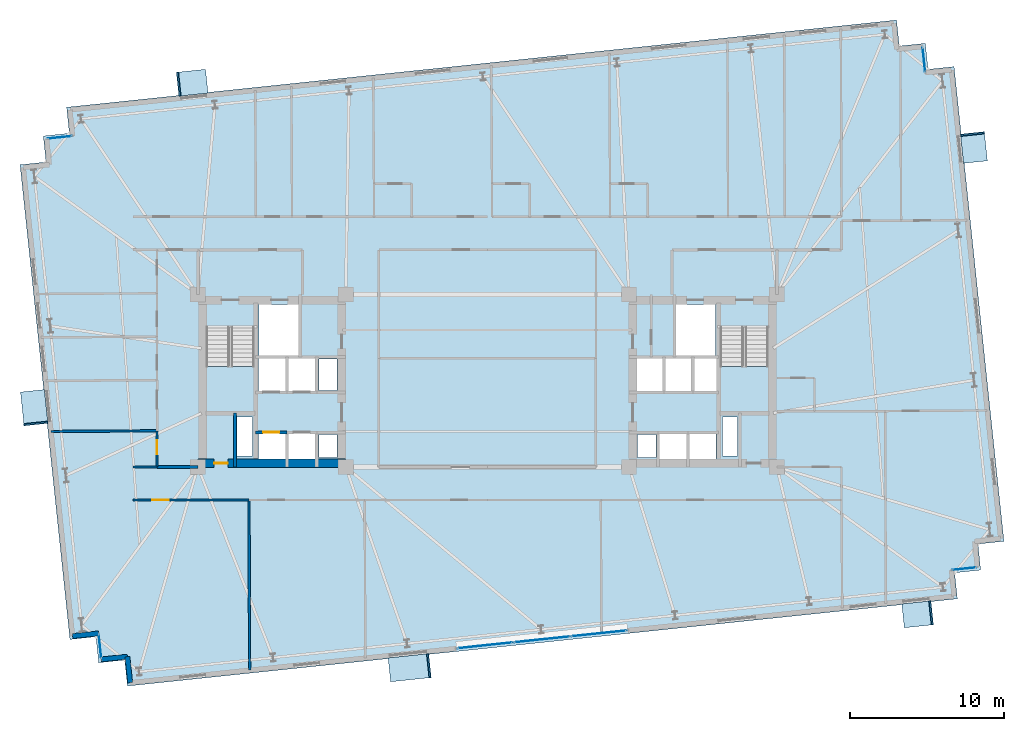
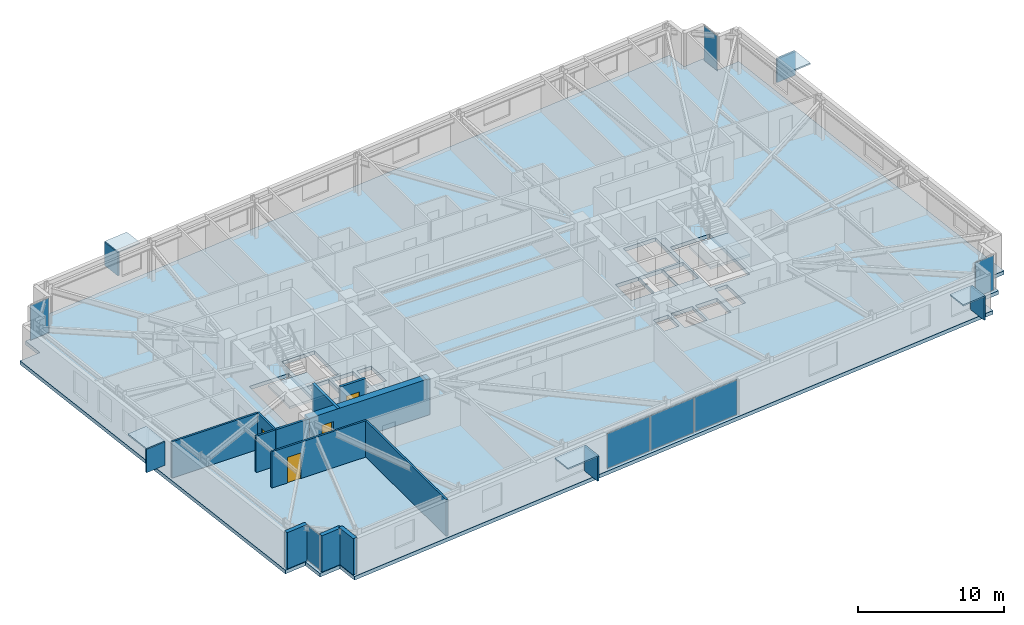
# One storey, part 15 of 22: 17 plates, 12 walls, 4 doors, 3 slabs, 4 openings, 7 elements without a shape of their own.
"""IFC4 building model written with IfcOpenShell, lengths in metres."""

import ifcopenshell
import ifcopenshell.guid

model = None  # the IFC model being written
_history = None  # IfcOwnerHistory: only IFC2X3 demands one
_inside = {}  # id of a spatial element -> (the spatial element, [elements in it])
_under = {}  # id of a project, library or spatial element -> (it, [spatial elements below it])
_declared = {}  # id of a project -> (the project, [libraries it declares])
_typed = {}  # id of a type object -> (the type object, [elements of that type])
_made_of = {}  # id of a material, layer set ... -> (it, [elements and type objects made of it])


def new_model(schema):
    """Start an empty IFC model of exactly this schema.

    Asked for "IFC4X3", IfcOpenShell would pick the latest addendum, in which some entities
    have other attributes; the version numbers below select the first issue.
    IFC2X3 requires an IfcOwnerHistory on every rooted entity: one is made here for all.
    """
    global model, _history
    if schema == "IFC4X3":
        model = ifcopenshell.file(schema_version=(4, 3, 0, 0))
    else:
        model = ifcopenshell.file(schema=schema)
    _inside.clear()
    _under.clear()
    _declared.clear()
    _typed.clear()
    _made_of.clear()
    _history = None
    if model.schema == "IFC2X3":
        org = make("IfcOrganization", Name="unknown")
        user = make(
            "IfcPersonAndOrganization",
            ThePerson=make("IfcPerson", FamilyName="unknown"),
            TheOrganization=org,
        )
        app = make(
            "IfcApplication",
            ApplicationDeveloper=org,
            Version="unknown",
            ApplicationFullName="unknown",
            ApplicationIdentifier="unknown",
        )
        _history = make(
            "IfcOwnerHistory",
            OwningUser=user,
            OwningApplication=app,
            ChangeAction="ADDED",
            CreationDate=0,
        )
    return model


def make(cls, **values):
    """One entity of the class cls with the attributes given. An attribute that is None is left unset."""
    return model.create_entity(
        cls, **{name: value for name, value in values.items() if value is not None}
    )


def rooted(cls, **values):
    """An entity with a GlobalId (a new one), such as an element, a storey or a relation."""
    return make(cls, GlobalId=ifcopenshell.guid.new(), OwnerHistory=_history, **values)


def si_unit(unit_type, name, prefix=None):
    """IfcSIUnit, for example si_unit("LENGTHUNIT", "METRE", prefix="MILLI")."""
    return make("IfcSIUnit", UnitType=unit_type, Prefix=prefix, Name=name)


def assignment(units):
    """IfcUnitAssignment: the units of a project."""
    return None if units is None else make("IfcUnitAssignment", Units=units)


def point(xyz):
    """IfcCartesianPoint."""
    return None if xyz is None else make("IfcCartesianPoint", Coordinates=xyz)


def direction(xyz):
    """IfcDirection."""
    return None if xyz is None else make("IfcDirection", DirectionRatios=xyz)


def frame(location, z_axis=None, x_axis=None):
    """IfcAxis2Placement3D, a coordinate frame: its origin and axes. An axis left out is left unset."""
    return make(
        "IfcAxis2Placement3D",
        Location=point(location),
        Axis=direction(z_axis),
        RefDirection=direction(x_axis),
    )


def frame_2d(location, x_axis=None):
    """IfcAxis2Placement2D, a coordinate frame in the plane: its origin and x axis."""
    return make(
        "IfcAxis2Placement2D", Location=point(location), RefDirection=direction(x_axis)
    )


def origin():
    """The frame at (0, 0, 0) with its axes left unset."""
    return frame((0.0, 0.0, 0.0))


def origin_2d():
    """The frame at (0, 0) in the plane with its x axis left unset."""
    return frame_2d((0.0, 0.0))


def place(relative_to, where):
    """IfcLocalPlacement: puts the frame where relative to a parent placement (None: the world)."""
    return make(
        "IfcLocalPlacement", PlacementRelTo=relative_to, RelativePlacement=where
    )


def context(
    kind, dimensions, precision=None, world=None, true_north=None, identifier=None
):
    """IfcGeometricRepresentationContext, for example the 3D "Model" context."""
    return make(
        "IfcGeometricRepresentationContext",
        ContextIdentifier=identifier,
        ContextType=kind,
        CoordinateSpaceDimension=dimensions,
        Precision=precision,
        WorldCoordinateSystem=world,
        TrueNorth=true_north,
    )


def subcontext(parent, identifier, kind, view, scale=None):
    """IfcGeometricRepresentationSubContext, for example "Body" below "Model"."""
    return make(
        "IfcGeometricRepresentationSubContext",
        ContextIdentifier=identifier,
        ContextType=kind,
        ParentContext=parent,
        TargetScale=scale,
        TargetView=view,
    )


def project(units=None, contexts=None):
    """IfcProject with its units and contexts."""
    return rooted(
        "IfcProject",
        Name="project",
        RepresentationContexts=contexts,
        UnitsInContext=assignment(units),
    )


def spatial(cls, under=None, at=None, **own):
    """A site, building, storey or space (cls), placed at a placement, below another one or the project."""
    s = rooted(cls, ObjectPlacement=at, **own)
    if under is not None:
        _under.setdefault(under.id(), (under, []))[1].append(s)
    return s


def polyline(points):
    """IfcPolyline through the points."""
    return make("IfcPolyline", Points=[point(p) for p in points])


def profile(cls, at=None, kind="AREA", **sizes):
    """A parametric profile (cls). Its sizes go by their IFC names, for example OverallWidth=200.0."""
    return make(cls, ProfileType=kind, Position=at, **sizes)


def rectangle(**sizes):
    """IfcRectangleProfileDef."""
    return profile("IfcRectangleProfileDef", **sizes)


def outline(outer, holes=None, kind="AREA"):
    """IfcArbitraryClosedProfileDef: a profile drawn as a closed curve; with holes, ...WithVoids."""
    if holes is None:
        return make("IfcArbitraryClosedProfileDef", ProfileType=kind, OuterCurve=outer)
    return make(
        "IfcArbitraryProfileDefWithVoids",
        ProfileType=kind,
        OuterCurve=outer,
        InnerCurves=holes,
    )


def extrude(swept, where, along, depth):
    """IfcExtrudedAreaSolid: the profile swept, set in the frame where, extruded along a direction by depth."""
    return make(
        "IfcExtrudedAreaSolid",
        SweptArea=swept,
        Position=where,
        ExtrudedDirection=direction(along),
        Depth=depth,
    )


def shape(context_of_items, identifier, shape_type, items):
    """IfcShapeRepresentation: the items that make up one representation, for example the "Body"."""
    return make(
        "IfcShapeRepresentation",
        ContextOfItems=context_of_items,
        RepresentationIdentifier=identifier,
        RepresentationType=shape_type,
        Items=items,
    )


def material(Name=None, Category=None):
    """IfcMaterial."""
    return make("IfcMaterial", Name=Name, Category=Category)


def layer(
    of_material, thickness, ventilated=None, Name=None, Category=None, Priority=None
):
    """IfcMaterialLayer: one layer of a wall or slab, of a material (None: an air gap)."""
    return make(
        "IfcMaterialLayer",
        Material=of_material,
        LayerThickness=thickness,
        IsVentilated=ventilated,
        Name=Name,
        Category=Category,
        Priority=Priority,
    )


def layer_set(layers, Name=None):
    """IfcMaterialLayerSet."""
    return make("IfcMaterialLayerSet", MaterialLayers=layers, LayerSetName=Name)


def made_of(thing, what):
    """Note that an element or type object is made of a material, layer set ...; save() writes the relation."""
    if what is not None:
        _made_of.setdefault(what.id(), (what, []))[1].append(thing)
    return thing


def type_object(cls, material=None, **own):
    """A type object (cls), such as IfcWallType, which elements share."""
    return made_of(rooted(cls, **own), material)


def element(
    cls,
    number,
    at=None,
    inside=None,
    cuts=None,
    type_object=None,
    material=None,
    context=None,
    identifier="Body",
    shape_type=None,
    held_by="IfcProductDefinitionShape",
    body=None,
    shapes=None,
    **own,
):
    """One element of the class cls, such as IfcWall. Its Tag is "e" and its number.

    at: its placement. inside: the storey or other place that contains it. cuts: it is an
    opening in that element (IfcRelVoidsElement). A single representation is given by context,
    identifier, shape_type and body (its items); several are given by shapes. held_by: the class
    of the entity that holds the representations. save() writes the other relations.
    """
    e = rooted(cls, Tag="e%d" % number, ObjectPlacement=at, **own)
    if body is not None:
        shapes = [shape(context, identifier, shape_type, body)]
    if shapes is not None:
        e.Representation = make(held_by, Representations=shapes)
    if inside is not None:
        _inside.setdefault(inside.id(), (inside, []))[1].append(e)
    if cuts is not None:
        rooted(
            "IfcRelVoidsElement", RelatingBuildingElement=cuts, RelatedOpeningElement=e
        )
    if type_object is not None:
        _typed.setdefault(type_object.id(), (type_object, []))[1].append(e)
    return made_of(e, material)


def fill(opening, filler):
    """IfcRelFillsElement: the door or window that sits in an opening."""
    return rooted(
        "IfcRelFillsElement",
        RelatingOpeningElement=opening,
        RelatedBuildingElement=filler,
    )


def aggregate(whole, parts):
    """IfcRelAggregates: a whole, such as a stair, and the parts it consists of."""
    return rooted("IfcRelAggregates", RelatingObject=whole, RelatedObjects=parts)


def save(model, path):
    """Write the relations noted so far, then the file.

    IfcRelAggregates (storeys below a building ...), IfcRelContainedInSpatialStructure (elements
    in a storey), IfcRelDefinesByType, IfcRelAssociatesMaterial and IfcRelDeclares: one each for
    every whole, place, type object, material and project.
    """
    for whole, parts in _under.values():
        aggregate(whole, parts)
    for where, things in _inside.values():
        rooted(
            "IfcRelContainedInSpatialStructure",
            RelatedElements=things,
            RelatingStructure=where,
        )
    for kind, things in _typed.values():
        rooted("IfcRelDefinesByType", RelatedObjects=things, RelatingType=kind)
    for what, things in _made_of.values():
        rooted("IfcRelAssociatesMaterial", RelatedObjects=things, RelatingMaterial=what)
    for by, libraries in _declared.values():
        rooted("IfcRelDeclares", RelatingContext=by, RelatedDefinitions=libraries)
    model.write(path)


model = new_model("IFC4")

# Units and contexts
model_context = context("Model", 3, precision=1e-05, world=origin(), true_north=direction((0.0, 1.0)))
body_context = subcontext(model_context, "Body", "Model", "MODEL_VIEW")
ifc_project = project(units=[si_unit("LENGTHUNIT", "METRE"), si_unit("AREAUNIT", "SQUARE_METRE"), si_unit("VOLUMEUNIT", "CUBIC_METRE"), si_unit("PLANEANGLEUNIT", "RADIAN"), si_unit("MASSUNIT", "GRAM", prefix="KILO")], contexts=[model_context])

# Site, building, storey
site_placement = place(None, origin())
site = spatial("IfcSite", under=ifc_project, at=site_placement, CompositionType="ELEMENT")
building_placement = place(site_placement, origin())
building = spatial("IfcBuilding", under=site, at=building_placement, Name="Qobustan Lattice House", CompositionType="ELEMENT")
storey_placement = place(building_placement, frame((0.0, 0.0, 99.10009765625)))
storey = spatial("IfcBuildingStorey", under=building, at=storey_placement, Name="L27", CompositionType="ELEMENT", Elevation=99.10009765625)

# Curtain wall, plate
ifc_material_1 = material(Name="Anodised aluminium and low-E glazing", Category="aluminium")
ifc_layer_1 = layer(ifc_material_1, 0.219970703125)
ifc_layer_set_1 = layer_set([ifc_layer_1], Name="Anodised aluminium and low-E glazing")
curtain_wall_type_1 = type_object("IfcCurtainWallType", Name="CW-FAC-01", PredefinedType="USERDEFINED", material=ifc_layer_set_1)
curtain_wall_1_placement = place(storey_placement, origin())
curtain_wall_1 = element("IfcCurtainWall", 1, at=curtain_wall_1_placement, inside=storey, type_object=curtain_wall_type_1, Name="L27 serrated corner faceted glazing 3", ObjectType="CURTAIN WALL", PredefinedType="USERDEFINED")
ifc_material_2 = material(Name="Clear low-E laminated glass", Category="glass")
ifc_layer_2 = layer(ifc_material_2, 0.031982421875)
ifc_layer_set_2 = layer_set([ifc_layer_2], Name="Clear low-E laminated glass")
plate_type_1 = type_object("IfcPlateType", Name="CWP-VISION-32", PredefinedType="CURTAIN_PANEL", material=ifc_layer_set_2)
plate_1_placement = place(storey_placement, frame((-25.155029296875, -17.2509765625, 0.06494140625), z_axis=(0.0, 0.0, 1.0), x_axis=(-0.104528620025, 0.994521878892, 0.0)))
plate_1 = element("IfcPlate", 2, at=plate_1_placement, type_object=plate_type_1, Name="CW-F1 panel 1.1", PredefinedType="CURTAIN_PANEL", context=body_context, shape_type="SweptSolid", body=[
    extrude(rectangle(XDim=1.56005859375, YDim=0.031982421875, at=origin_2d()), origin(), (0.0, 0.0, 1.0), 2.9150390625),
])
aggregate(curtain_wall_1, [plate_1])

curtain_wall_2_placement = place(storey_placement, origin())
curtain_wall_2 = element("IfcCurtainWall", 3, at=curtain_wall_2_placement, inside=storey, type_object=curtain_wall_type_1, Name="L27 serrated corner faceted glazing 8", ObjectType="CURTAIN WALL", PredefinedType="USERDEFINED")
plate_2_placement = place(storey_placement, frame((-27.77490234375, 15.80615234375, 0.06494140625), z_axis=(0.0, 0.0, 1.0), x_axis=(0.994521878892, 0.104528620025, 0.0)))
plate_2 = element("IfcPlate", 4, at=plate_2_placement, type_object=plate_type_1, Name="CW-F1 panel 1.1", PredefinedType="CURTAIN_PANEL", context=body_context, shape_type="SweptSolid", body=[
    extrude(rectangle(XDim=1.56005859375, YDim=0.031982421875, at=origin_2d()), origin(), (0.0, 0.0, 1.0), 2.9150390625),
])
aggregate(curtain_wall_2, [plate_2])

curtain_wall_3_placement = place(storey_placement, origin())
curtain_wall_3 = element("IfcCurtainWall", 5, at=curtain_wall_3_placement, inside=storey, type_object=curtain_wall_type_1, Name="L27 serrated corner faceted glazing 13", ObjectType="CURTAIN WALL", PredefinedType="USERDEFINED")
plate_3_placement = place(storey_placement, frame((28.355224609375, 20.85107421875, 0.06494140625), z_axis=(0.0, 0.0, 1.0), x_axis=(0.104528620025, -0.994521878892, 0.0)))
plate_3 = element("IfcPlate", 6, at=plate_3_placement, type_object=plate_type_1, Name="CW-F1 panel 1.1", PredefinedType="CURTAIN_PANEL", context=body_context, shape_type="SweptSolid", body=[
    extrude(rectangle(XDim=1.56005859375, YDim=0.031982421875, at=origin_2d()), origin(), (0.0, 0.0, 1.0), 2.9150390625),
])
aggregate(curtain_wall_3, [plate_3])

curtain_wall_4_placement = place(storey_placement, origin())
curtain_wall_4 = element("IfcCurtainWall", 7, at=curtain_wall_4_placement, inside=storey, type_object=curtain_wall_type_1, Name="L27 serrated corner faceted glazing 18", ObjectType="CURTAIN WALL", PredefinedType="USERDEFINED")
plate_4_placement = place(storey_placement, frame((30.974853515625, -12.206298828125, 0.06494140625), z_axis=(0.0, 0.0, 1.0), x_axis=(-0.994521878892, -0.104528620025, 0.0)))
plate_4 = element("IfcPlate", 8, at=plate_4_placement, type_object=plate_type_1, Name="CW-F1 panel 1.1", PredefinedType="CURTAIN_PANEL", context=body_context, shape_type="SweptSolid", body=[
    extrude(rectangle(XDim=1.56005859375, YDim=0.031982421875, at=origin_2d()), origin(), (0.0, 0.0, 1.0), 2.9150390625),
])
aggregate(curtain_wall_4, [plate_4])

# Curtain wall, plates
ifc_material_3 = material(Name="Anodised aluminium and low-E glazing", Category="aluminium")
ifc_layer_3 = layer(ifc_material_3, 0.219970703125)
ifc_layer_set_3 = layer_set([ifc_layer_3], Name="Anodised aluminium and low-E glazing")
curtain_wall_type_2 = type_object("IfcCurtainWallType", Name="CW-IWN-01", PredefinedType="USERDEFINED", material=ifc_layer_set_3)
curtain_wall_5_placement = place(storey_placement, origin())
curtain_wall_5 = element("IfcCurtainWall", 9, at=curtain_wall_5_placement, inside=storey, type_object=curtain_wall_type_2, Name="L27 IWAN-2 walnut-lined iwan curtain wall", ObjectType="CURTAIN WALL", PredefinedType="USERDEFINED")
plate_5_placement = place(storey_placement, frame((7.24755859375, -16.409423828125, 0.06494140625), z_axis=(0.0, 0.0, 1.0), x_axis=(-0.994522123189, -0.104526295675, 0.0)))
plate_5 = element("IfcPlate", 10, at=plate_5_placement, type_object=plate_type_1, Name="CW-IW panel 1.1", PredefinedType="CURTAIN_PANEL", context=body_context, shape_type="SweptSolid", body=[
    extrude(rectangle(XDim=3.61328125, YDim=0.031982421875, at=origin_2d()), origin(), (0.0, 0.0, 1.0), 2.9150390625),
])
plate_6_placement = place(storey_placement, frame((3.5546875, -16.797607421875, 0.06494140625), z_axis=(0.0, 0.0, 1.0), x_axis=(-0.994522123189, -0.104526295675, 0.0)))
plate_6 = element("IfcPlate", 11, at=plate_6_placement, type_object=plate_type_1, Name="CW-IW panel 2.1", PredefinedType="CURTAIN_PANEL", context=body_context, shape_type="SweptSolid", body=[
    extrude(rectangle(XDim=3.6533203125, YDim=0.031982421875, at=origin_2d()), origin(), (0.0, 0.0, 1.0), 2.9150390625),
])
plate_7_placement = place(storey_placement, frame((-0.138427734375, -17.185791015625, 0.06494140625), z_axis=(0.0, 0.0, 1.0), x_axis=(-0.994522123189, -0.104526295675, 0.0)))
plate_7 = element("IfcPlate", 12, at=plate_7_placement, type_object=plate_type_1, Name="CW-IW panel 3.1", PredefinedType="CURTAIN_PANEL", context=body_context, shape_type="SweptSolid", body=[
    extrude(rectangle(XDim=3.61328125, YDim=0.031982421875, at=origin_2d()), origin(), (0.0, 0.0, 1.0), 2.9150390625),
])
aggregate(curtain_wall_5, [plate_5, plate_6, plate_7])

# Plates
ifc_material_4 = material(Name="Qobustan limestone GFRC", Category="masonry")
ifc_layer_4 = layer(ifc_material_4, 0.1201171875)
ifc_layer_set_4 = layer_set([ifc_layer_4], Name="Qobustan limestone GFRC")
plate_type_2 = type_object("IfcPlateType", Name="SHD-HOOD-BROW", PredefinedType="USERDEFINED", material=ifc_layer_set_4)
plate_8_placement = place(storey_placement, frame((-29.4296875, -1.743408203125, 2.699951171875), z_axis=(0.0, 0.0, 1.0), x_axis=(-0.104528463268, 0.994521895368, 0.0)))
element("IfcPlate", 13, at=plate_8_placement, inside=storey, type_object=plate_type_2, Name="L27 splayed Qobustan stone hood brow", ObjectType="SUNSHADE", PredefinedType="USERDEFINED", context=body_context, shape_type="SweptSolid", body=[
    extrude(rectangle(XDim=2.18994140625, YDim=1.56005859375, at=origin_2d()), origin(), (0.0, 0.0, 1.0), 0.1201171875),
])
plate_9_placement = place(storey_placement, frame((-29.3212890625, -2.772705078125, 0.7900390625), z_axis=(0.0, 0.0, 1.0), x_axis=(-0.104528463268, 0.994521895368, 0.0)))
element("IfcPlate", 14, at=plate_9_placement, inside=storey, type_object=plate_type_2, Name="L27 splayed Qobustan stone hood cheek", ObjectType="SUNSHADE", PredefinedType="USERDEFINED", context=body_context, shape_type="SweptSolid", body=[
    extrude(rectangle(XDim=0.1201171875, YDim=1.56005859375, at=origin_2d()), origin(), (0.0, 0.0, 1.0), 1.969970703125),
])
plate_10_placement = place(storey_placement, frame((-19.162841796875, 19.355712890625, 2.699951171875), z_axis=(0.0, 0.0, 1.0), x_axis=(0.994521895368, 0.104528463268, 0.0)))
element("IfcPlate", 15, at=plate_10_placement, inside=storey, type_object=plate_type_2, Name="L27 splayed Qobustan stone hood brow", ObjectType="SUNSHADE", PredefinedType="USERDEFINED", context=body_context, shape_type="SweptSolid", body=[
    extrude(rectangle(XDim=1.889892578125, YDim=1.56005859375, at=origin_2d()), origin(), (0.0, 0.0, 1.0), 0.1201171875),
])
plate_11_placement = place(storey_placement, frame((-20.04296875, 19.26318359375, 0.7900390625), z_axis=(0.0, 0.0, 1.0), x_axis=(0.994521895368, 0.104528463268, 0.0)))
element("IfcPlate", 16, at=plate_11_placement, inside=storey, type_object=plate_type_2, Name="L27 splayed Qobustan stone hood cheek", ObjectType="SUNSHADE", PredefinedType="USERDEFINED", context=body_context, shape_type="SweptSolid", body=[
    extrude(rectangle(XDim=0.1201171875, YDim=1.56005859375, at=origin_2d()), origin(), (0.0, 0.0, 1.0), 1.969970703125),
])
plate_12_placement = place(storey_placement, frame((31.599609375, 15.14208984375, 2.699951171875), z_axis=(0.0, 0.0, 1.0), x_axis=(0.104528463268, -0.994521895368, 0.0)))
element("IfcPlate", 17, at=plate_12_placement, inside=storey, type_object=plate_type_2, Name="L27 splayed Qobustan stone hood brow", ObjectType="SUNSHADE", PredefinedType="USERDEFINED", context=body_context, shape_type="SweptSolid", body=[
    extrude(rectangle(XDim=1.889892578125, YDim=1.56005859375, at=origin_2d()), origin(), (0.0, 0.0, 1.0), 0.1201171875),
])
plate_13_placement = place(storey_placement, frame((31.507080078125, 16.022216796875, 0.7900390625), z_axis=(0.0, 0.0, 1.0), x_axis=(0.104528463268, -0.994521895368, 0.0)))
element("IfcPlate", 18, at=plate_13_placement, inside=storey, type_object=plate_type_2, Name="L27 splayed Qobustan stone hood cheek", ObjectType="SUNSHADE", PredefinedType="USERDEFINED", context=body_context, shape_type="SweptSolid", body=[
    extrude(rectangle(XDim=0.1201171875, YDim=1.56005859375, at=origin_2d()), origin(), (0.0, 0.0, 1.0), 1.969970703125),
])
plate_14_placement = place(storey_placement, frame((27.935791015625, -15.170166015625, 2.699951171875), z_axis=(0.0, 0.0, 1.0), x_axis=(-0.994521895368, -0.104528463268, 0.0)))
element("IfcPlate", 19, at=plate_14_placement, inside=storey, type_object=plate_type_2, Name="L27 splayed Qobustan stone hood brow", ObjectType="SUNSHADE", PredefinedType="USERDEFINED", context=body_context, shape_type="SweptSolid", body=[
    extrude(rectangle(XDim=1.889892578125, YDim=1.56005859375, at=origin_2d()), origin(), (0.0, 0.0, 1.0), 0.1201171875),
])
plate_15_placement = place(storey_placement, frame((28.81591796875, -15.07763671875, 0.7900390625), z_axis=(0.0, 0.0, 1.0), x_axis=(-0.994521895368, -0.104528463268, 0.0)))
element("IfcPlate", 20, at=plate_15_placement, inside=storey, type_object=plate_type_2, Name="L27 splayed Qobustan stone hood cheek", ObjectType="SUNSHADE", PredefinedType="USERDEFINED", context=body_context, shape_type="SweptSolid", body=[
    extrude(rectangle(XDim=0.1201171875, YDim=1.56005859375, at=origin_2d()), origin(), (0.0, 0.0, 1.0), 1.969970703125),
])
plate_16_placement = place(storey_placement, frame((-5.052978515625, -18.637451171875, 2.7998046875), z_axis=(0.0, 0.0, 1.0), x_axis=(-0.994521895368, -0.104528463268, 0.0)))
element("IfcPlate", 21, at=plate_16_placement, inside=storey, type_object=plate_type_2, Name="L27 splayed Qobustan stone hood brow", ObjectType="SUNSHADE", PredefinedType="USERDEFINED", context=body_context, shape_type="SweptSolid", body=[
    extrude(rectangle(XDim=2.639892578125, YDim=1.56005859375, at=origin_2d()), origin(), (0.0, 0.0, 1.0), 0.1201171875),
])
plate_17_placement = place(storey_placement, frame((-3.7998046875, -18.505615234375, 0.7900390625), z_axis=(0.0, 0.0, 1.0), x_axis=(-0.994521895368, -0.104528463268, 0.0)))
element("IfcPlate", 22, at=plate_17_placement, inside=storey, type_object=plate_type_2, Name="L27 splayed Qobustan stone hood cheek", ObjectType="SUNSHADE", PredefinedType="USERDEFINED", context=body_context, shape_type="SweptSolid", body=[
    extrude(rectangle(XDim=0.1201171875, YDim=1.56005859375, at=origin_2d()), origin(), (0.0, 0.0, 1.0), 2.070068359375),
])

# Slab
ifc_material_5 = material(Name="Concrete C40/50", Category="concrete")
ifc_layer_5 = layer(ifc_material_5, 0.304931640625)
ifc_layer_set_5 = layer_set([ifc_layer_5], Name="Concrete C40/50")
slab_type_1 = type_object("IfcSlabType", Name="SLB-FLR-305", PredefinedType="FLOOR", material=ifc_layer_set_5)
slab_1_placement = place(storey_placement, frame((0.0, 0.0, -0.30517578125)))
element("IfcSlab", 23, at=slab_1_placement, inside=storey, type_object=slab_type_1, Name="L27 structural floor slab", PredefinedType="FLOOR", context=body_context, shape_type="SweptSolid", body=[
    extrude(outline(polyline([(-23.3759765625, -19.8291015625), (30.527099609375, -14.163818359375), (30.349365234375, -12.47314453125), (32.0400390625, -12.29541015625), (31.8623046875, -10.604736328125), (33.552978515625, -10.427001953125), (30.312744140625, 20.4033203125), (28.6220703125, 20.2255859375), (28.4443359375, 21.916259765625), (26.753662109375, 21.738525390625), (26.575927734375, 23.42919921875), (-27.3271484375, 17.763671875), (-27.1494140625, 16.072998046875), (-28.840087890625, 15.8955078125), (-28.662353515625, 14.20458984375), (-30.35302734375, 14.027099609375), (-27.11279296875, -16.80322265625), (-25.422119140625, -16.62548828125), (-25.244384765625, -18.316162109375), (-23.5537109375, -18.138427734375), (-23.3759765625, -19.8291015625)]), holes=[polyline([(-18.25, -2.050048828125), (-18.25, 3.489990234375), (-15.1298828125, 3.489990234375), (-15.1298828125, -2.050048828125), (-18.25, -2.050048828125)]), polyline([(15.1298828125, -2.050048828125), (15.1298828125, 3.489990234375), (18.25, 3.489990234375), (18.25, -2.050048828125), (15.1298828125, -2.050048828125)]), polyline([(-14.820068359375, 1.64990234375), (-14.820068359375, 4.9599609375), (-12.25, 4.9599609375), (-12.25, 1.64990234375), (-14.820068359375, 1.64990234375)]), polyline([(12.25, 1.64990234375), (12.25, 4.9599609375), (14.820068359375, 4.9599609375), (14.820068359375, 1.64990234375), (12.25, 1.64990234375)]), polyline([(-16.260009765625, -4.8798828125), (-16.260009765625, -2.360107421875), (-15.260009765625, -2.360107421875), (-15.260009765625, -4.8798828125), (-16.260009765625, -4.8798828125)]), polyline([(15.260009765625, -4.8798828125), (15.260009765625, -2.360107421875), (16.260009765625, -2.360107421875), (16.260009765625, -4.8798828125), (15.260009765625, -4.8798828125)]), polyline([(-14.85009765625, -5.35009765625), (-14.85009765625, -3.419921875), (-13.1201171875, -3.419921875), (-13.1201171875, -5.35009765625), (-14.85009765625, -5.35009765625)]), polyline([(-12.919921875, -5.35009765625), (-12.919921875, -3.419921875), (-11.179931640625, -3.419921875), (-11.179931640625, -5.35009765625), (-12.919921875, -5.35009765625)]), polyline([(-14.85009765625, -0.679931640625), (-14.85009765625, 1.47998046875), (-13.1201171875, 1.47998046875), (-13.1201171875, -0.679931640625), (-14.85009765625, -0.679931640625)]), polyline([(-12.919921875, -0.679931640625), (-12.919921875, 1.47998046875), (-11.179931640625, 1.47998046875), (-11.179931640625, -0.679931640625), (-12.919921875, -0.679931640625)]), polyline([(-10.93994140625, -5.0), (-10.93994140625, -3.47998046875), (-9.760009765625, -3.47998046875), (-9.760009765625, -5.0), (-10.93994140625, -5.0)]), polyline([(-10.93994140625, -0.6201171875), (-10.93994140625, 1.419921875), (-9.760009765625, 1.419921875), (-9.760009765625, -0.6201171875), (-10.93994140625, -0.6201171875)]), polyline([(11.179931640625, -5.35009765625), (11.179931640625, -3.419921875), (12.919921875, -3.419921875), (12.919921875, -5.35009765625), (11.179931640625, -5.35009765625)]), polyline([(13.1201171875, -5.35009765625), (13.1201171875, -3.419921875), (14.85009765625, -3.419921875), (14.85009765625, -5.35009765625), (13.1201171875, -5.35009765625)]), polyline([(9.760009765625, -5.0), (9.760009765625, -3.47998046875), (10.93994140625, -3.47998046875), (10.93994140625, -5.0), (9.760009765625, -5.0)]), polyline([(13.360107421875, -0.679931640625), (13.360107421875, 1.47998046875), (14.97998046875, 1.47998046875), (14.97998046875, -0.679931640625), (13.360107421875, -0.679931640625)]), polyline([(9.6201171875, -0.679931640625), (9.6201171875, 1.47998046875), (11.43994140625, 1.47998046875), (11.43994140625, -0.679931640625), (9.6201171875, -0.679931640625)]), polyline([(11.5, -0.679931640625), (11.5, 1.47998046875), (13.320068359375, 1.47998046875), (13.320068359375, -0.679931640625), (11.5, -0.679931640625)])]), origin(), (0.0, 0.0, 1.0), 0.30517578125),
])

# Stair, slab
ifc_material_6 = material(Name="Concrete C40/50", Category="concrete")
stair_type = type_object("IfcStairType", Name="STR-CORE-DOGLEG", PredefinedType="HALF_TURN_STAIR", material=ifc_material_6)
stair_1_placement = place(storey_placement, origin())
stair_1 = element("IfcStair", 24, at=stair_1_placement, inside=storey, type_object=stair_type, Name="L27 West protected exit stair ST-W1", PredefinedType="HALF_TURN_STAIR")
ifc_material_7 = material(Name="Concrete C40/50", Category="concrete")
ifc_layer_6 = layer(ifc_material_7, 0.199951171875)
ifc_layer_set_6 = layer_set([ifc_layer_6], Name="Concrete C40/50")
slab_type_2 = type_object("IfcSlabType", Name="SLB-LANDING-200", PredefinedType="LANDING", material=ifc_layer_set_6)
slab_2_placement = place(storey_placement, frame((0.0, 0.0, 1.474853515625)))
slab_2 = element("IfcSlab", 25, at=slab_2_placement, type_object=slab_type_2, Name="ST-W1 landing 1", PredefinedType="LANDING", context=body_context, shape_type="SweptSolid", body=[
    extrude(outline(polyline([(-18.25, 0.93505859375), (-18.25, -2.050048828125), (-15.1298828125, -2.050048828125), (-15.1298828125, 0.93505859375), (-18.25, 0.93505859375)])), origin(), (0.0, 0.0, 1.0), 0.199951171875),
])
aggregate(stair_1, [slab_2])

stair_2_placement = place(storey_placement, origin())
stair_2 = element("IfcStair", 26, at=stair_2_placement, inside=storey, type_object=stair_type, Name="L27 East protected exit stair ST-E1", PredefinedType="HALF_TURN_STAIR")
slab_3_placement = place(storey_placement, frame((0.0, 0.0, 1.474853515625)))
slab_3 = element("IfcSlab", 27, at=slab_3_placement, type_object=slab_type_2, Name="ST-E1 landing 1", PredefinedType="LANDING", context=body_context, shape_type="SweptSolid", body=[
    extrude(outline(polyline([(15.1298828125, 0.93505859375), (15.1298828125, -2.050048828125), (18.25, -2.050048828125), (18.25, 0.93505859375), (15.1298828125, 0.93505859375)])), origin(), (0.0, 0.0, 1.0), 0.199951171875),
])
aggregate(stair_2, [slab_3])

# Wall, opening, door
ifc_material_8 = material(Name="Concrete C60/75", Category="concrete")
ifc_layer_7 = layer(ifc_material_8, 0.56005859375)
ifc_layer_set_7 = layer_set([ifc_layer_7], Name="Concrete C60/75")
wall_type_1 = type_object("IfcWallType", Name="WAL-CORE-600", PredefinedType="SHEAR", material=ifc_layer_set_7)
wall_1_placement = place(storey_placement, frame((-18.800048828125, -5.35009765625, 0.0), z_axis=(0.0, 0.0, 1.0), x_axis=(1.0, 0.0, 0.0)))
wall_1 = element("IfcWall", 28, at=wall_1_placement, inside=storey, type_object=wall_type_1, Name="L27 split-core shear wall CW-S", PredefinedType="SHEAR", context=body_context, shape_type="SweptSolid", body=[
    extrude(rectangle(XDim=9.60009765625, YDim=0.56005859375, at=frame_2d((4.800048828125, 0.0))), origin(), (0.0, 0.0, 1.0), 3.044921875),
])
opening_1_placement = place(wall_1_placement, frame((1.050048828125, 0.0, 0.0)))
opening_1 = element("IfcOpeningElement", 29, at=opening_1_placement, cuts=wall_1, Name="Opening RD-01", PredefinedType="OPENING", context=body_context, shape_type="SweptSolid", body=[
    extrude(rectangle(XDim=0.89990234375, YDim=2.10009765625, at=frame_2d((0.449951171875, 1.050048828125))), frame((0.0, 0.2900390625, 0.0), z_axis=(0.0, -1.0, 0.0), x_axis=(1.0, 0.0, 0.0)), (0.0, 0.0, 1.0), 0.580078125),
])
ifc_material_9 = material(Name="Persian walnut timber and steel frame door", Category="steel")
door_type_1 = type_object("IfcDoorType", Name="DOR-RISER-FD-900x2100", OperationType="NOTDEFINED", PredefinedType="DOOR", material=ifc_material_9)
door_1_placement = place(opening_1_placement, origin())
door_1 = element("IfcDoor", 30, at=door_1_placement, inside=storey, type_object=door_type_1, Name="L27 core service riser access door W", OperationType="SINGLE_SWING_LEFT", OverallHeight=2.10009765625, OverallWidth=0.89990234375, PredefinedType="DOOR", context=body_context, shape_type="SweptSolid", body=[
    extrude(rectangle(XDim=0.89990234375, YDim=2.10009765625, at=frame_2d((0.449951171875, 1.050048828125))), frame((0.0, 0.02490234375, 0.0), z_axis=(0.0, -1.0, 0.0), x_axis=(1.0, 0.0, 0.0)), (0.0, 0.0, 1.0), 0.050048828125),
])
fill(opening_1, door_1)

# Walls
ifc_material_10 = material(Name="Precast concrete C40/50", Category="concrete")
ifc_layer_8 = layer(ifc_material_10, 0.320068359375)
ifc_layer_set_8 = layer_set([ifc_layer_8], Name="Precast concrete C40/50")
wall_type_2 = type_object("IfcWallType", Name="WAL-EXT-STONE-320", PredefinedType="SOLIDWALL", material=ifc_layer_set_8)
for number, where, z_axis, x_axis, name in (
    (31, (-23.197998046875, -19.609375, 0.0), (0.0, 0.0, 1.0), (-0.104550220202, 0.994519608382, 0.0), "L27 exterior limestone-clad wall 1"),
    (32, (-23.375732421875, -17.918701171875, 0.0), (0.0, 0.0, 1.0), (-0.994519608382, -0.104550220202, 0.0), "L27 exterior limestone-clad wall 2"),
):
    element("IfcWall", number, at=place(storey_placement, frame(where, z_axis=z_axis, x_axis=x_axis)), inside=storey, type_object=wall_type_2, Name=name, PredefinedType="SOLIDWALL", context=body_context, shape_type="SweptSolid", body=[
        extrude(rectangle(XDim=1.699951171875, YDim=0.320068359375, at=frame_2d((0.85009765625, 0.0))), origin(), (0.0, 0.0, 1.0), 3.044921875),
    ])
wall_2_placement = place(storey_placement, frame((-25.243896484375, -16.40576171875, 0.0), z_axis=(0.0, 0.0, 1.0), x_axis=(-0.994521177842, -0.104535289845, 0.0)))
element("IfcWall", 33, at=wall_2_placement, inside=storey, type_object=wall_type_2, Name="L27 exterior limestone-clad wall 4", PredefinedType="SOLIDWALL", context=body_context, shape_type="SweptSolid", body=[
    extrude(rectangle(XDim=1.7001953125, YDim=0.320068359375, at=frame_2d((0.85009765625, 0.0))), origin(), (0.0, 0.0, 1.0), 3.044921875),
])
ifc_material_11 = material(Name="Gypsum fireboard acoustic partition", Category="gypsum")
ifc_layer_9 = layer(ifc_material_11, 0.179931640625)
ifc_layer_set_9 = layer_set([ifc_layer_9], Name="Gypsum fireboard acoustic partition")
wall_type_3 = type_object("IfcWallType", Name="WAL-FIRE-180", PredefinedType="PARTITIONING", material=ifc_layer_set_9)
wall_3_placement = place(storey_placement, frame((-21.449951171875, -5.60009765625, 0.0), z_axis=(0.0, 0.0, 1.0), x_axis=(1.0, 0.0, 0.0)))
element("IfcWall", 34, at=wall_3_placement, inside=storey, type_object=wall_type_3, Name="L27 interior partition 53", PredefinedType="PARTITIONING", context=body_context, shape_type="SweptSolid", body=[
    extrude(rectangle(XDim=2.64990234375, YDim=0.179931640625, at=frame_2d((1.324951171875, 0.0))), origin(), (0.0, 0.0, 1.0), 3.044921875),
])

# Wall, opening, door
ifc_material_12 = material(Name="Acoustic twin-stud gypsum partition", Category="gypsum")
ifc_layer_10 = layer(ifc_material_12, 0.14990234375)
ifc_layer_set_10 = layer_set([ifc_layer_10], Name="Acoustic twin-stud gypsum partition")
wall_type_4 = type_object("IfcWallType", Name="WAL-PART-150", PredefinedType="PARTITIONING", material=ifc_layer_set_10)
wall_4_placement = place(storey_placement, frame((-15.4833984375, -7.75, 0.0), z_axis=(0.0, 0.0, 1.0), x_axis=(-1.0, 0.0, 0.0)))
wall_4 = element("IfcWall", 35, at=wall_4_placement, inside=storey, type_object=wall_type_4, Name="L27 interior partition 55", PredefinedType="PARTITIONING", context=body_context, shape_type="SweptSolid", body=[
    extrude(rectangle(XDim=7.5166015625, YDim=0.14990234375, at=frame_2d((3.75830078125, 0.0))), origin(), (0.0, 0.0, 1.0), 3.044921875),
])
opening_2_placement = place(wall_4_placement, frame((5.22314453125, 0.0, 0.0)))
opening_2 = element("IfcOpeningElement", 36, at=opening_2_placement, cuts=wall_4, Name="Opening ID-02", PredefinedType="OPENING", context=body_context, shape_type="SweptSolid", body=[
    extrude(rectangle(XDim=1.050048828125, YDim=2.14990234375, at=frame_2d((0.52490234375, 1.074951171875))), frame((0.0, 0.0849609375, 0.0), z_axis=(0.0, -1.0, 0.0), x_axis=(1.0, 0.0, 0.0)), (0.0, 0.0, 1.0), 0.169921875),
])
ifc_material_13 = material(Name="Persian walnut timber and steel frame door", Category="steel")
door_type_2 = type_object("IfcDoorType", Name="DOR-STUDY-1050x2150", OperationType="NOTDEFINED", PredefinedType="DOOR", material=ifc_material_13)
door_2_placement = place(opening_2_placement, origin())
door_2 = element("IfcDoor", 37, at=door_2_placement, inside=storey, type_object=door_type_2, Name="L27 South-west floor corridor to Focus study room S1A door", OperationType="SINGLE_SWING_LEFT", OverallHeight=2.14990234375, OverallWidth=1.050048828125, PredefinedType="DOOR", context=body_context, shape_type="SweptSolid", body=[
    extrude(rectangle(XDim=1.050048828125, YDim=2.14990234375, at=frame_2d((0.52490234375, 1.074951171875))), frame((0.0, 0.02490234375, 0.0), z_axis=(0.0, -1.0, 0.0), x_axis=(1.0, 0.0, 0.0)), (0.0, 0.0, 1.0), 0.050048828125),
])
fill(opening_2, door_2)

# Walls
wall_5_placement = place(storey_placement, frame((-15.4833984375, -7.75, 0.0), z_axis=(0.0, 0.0, 1.0), x_axis=(0.003956994399, -0.999992171067, 0.0)))
element("IfcWall", 38, at=wall_5_placement, inside=storey, type_object=wall_type_4, Name="L27 interior partition 104", PredefinedType="PARTITIONING", context=body_context, shape_type="SweptSolid", body=[
    extrude(rectangle(XDim=11.0439453125, YDim=0.14990234375, at=frame_2d((5.52197265625, 0.0))), origin(), (0.0, 0.0, 1.0), 3.044921875),
])
ifc_material_14 = material(Name="Concrete C40/50", Category="concrete")
ifc_layer_11 = layer(ifc_material_14, 0.199951171875)
ifc_layer_set_11 = layer_set([ifc_layer_11], Name="Concrete C40/50")
wall_type_5 = type_object("IfcWallType", Name="WAL-SHAFT-200", PredefinedType="PARTITIONING", material=ifc_layer_set_11)
wall_6_placement = place(storey_placement, frame((-16.39990234375, -5.60009765625, 0.0), z_axis=(0.0, 0.0, 1.0), x_axis=(0.0, 1.0, 0.0)))
element("IfcWall", 39, at=wall_6_placement, inside=storey, type_object=wall_type_5, Name="L27 interior partition 1", PredefinedType="PARTITIONING", context=body_context, shape_type="SweptSolid", body=[
    extrude(rectangle(XDim=3.489990234375, YDim=0.199951171875, at=frame_2d((1.7451171875, 0.0))), origin(), (0.0, 0.0, 1.0), 3.044921875),
])

# Wall, opening, door
wall_7_placement = place(storey_placement, frame((-15.050048828125, -3.35009765625, 0.0), z_axis=(0.0, 0.0, 1.0), x_axis=(1.0, 0.0, 0.0)))
wall_7 = element("IfcWall", 40, at=wall_7_placement, inside=storey, type_object=wall_type_5, Name="L27 interior partition 7", PredefinedType="PARTITIONING", context=body_context, shape_type="SweptSolid", body=[
    extrude(rectangle(XDim=2.030029296875, YDim=0.199951171875, at=frame_2d((1.01513671875, 0.0))), origin(), (0.0, 0.0, 1.0), 3.044921875),
])
opening_3_placement = place(wall_7_placement, frame((0.489990234375, 0.0, 0.0)))
opening_3 = element("IfcOpeningElement", 41, at=opening_3_placement, cuts=wall_7, Name="Opening LD-01", PredefinedType="OPENING", context=body_context, shape_type="SweptSolid", body=[
    extrude(rectangle(XDim=1.050048828125, YDim=2.10009765625, at=frame_2d((0.52490234375, 1.050048828125))), frame((0.0, 0.10986328125, 0.0), z_axis=(0.0, -1.0, 0.0), x_axis=(1.0, 0.0, 0.0)), (0.0, 0.0, 1.0), 0.219970703125),
])
ifc_material_15 = material(Name="Persian walnut timber and steel frame door", Category="steel")
door_type_3 = type_object("IfcDoorType", Name="DOR-LIFT-LD-1050x2100", OperationType="NOTDEFINED", PredefinedType="DOOR", material=ifc_material_15)
door_3_placement = place(opening_3_placement, origin())
door_3 = element("IfcDoor", 42, at=door_3_placement, inside=storey, type_object=door_type_3, Name="L27 lift landing door", OperationType="DOUBLE_DOOR_SLIDING", OverallHeight=2.10009765625, OverallWidth=1.050048828125, PredefinedType="DOOR", context=body_context, shape_type="SweptSolid", body=[
    extrude(rectangle(XDim=1.050048828125, YDim=2.10009765625, at=frame_2d((0.52490234375, 1.050048828125))), frame((0.0, 0.02490234375, 0.0), z_axis=(0.0, -1.0, 0.0), x_axis=(1.0, 0.0, 0.0)), (0.0, 0.0, 1.0), 0.050048828125),
])
fill(opening_3, door_3)

# Wall
ifc_material_16 = material(Name="Moisture-resistant acoustic plumbing wall", Category="gypsum")
ifc_layer_12 = layer(ifc_material_16, 0.14990234375)
ifc_layer_set_12 = layer_set([ifc_layer_12], Name="Moisture-resistant acoustic plumbing wall")
wall_type_6 = type_object("IfcWallType", Name="WAL-WET-150", PredefinedType="PLUMBINGWALL", material=ifc_layer_set_12)
wall_8_placement = place(storey_placement, frame((-23.0, -5.60009765625, 0.0), z_axis=(0.0, 0.0, 1.0), x_axis=(1.0, 0.0, 0.0)))
element("IfcWall", 43, at=wall_8_placement, inside=storey, type_object=wall_type_6, Name="L27 interior partition 54", PredefinedType="PLUMBINGWALL", context=body_context, shape_type="SweptSolid", body=[
    extrude(rectangle(XDim=1.550048828125, YDim=0.14990234375, at=frame_2d((0.77490234375, 0.0))), origin(), (0.0, 0.0, 1.0), 3.044921875),
])

# Wall, opening, door
wall_9_placement = place(storey_placement, frame((-21.449951171875, -5.60009765625, 0.0), z_axis=(0.0, 0.0, 1.0), x_axis=(0.0, 1.0, 0.0)))
wall_9 = element("IfcWall", 44, at=wall_9_placement, inside=storey, type_object=wall_type_6, Name="L27 interior partition 68", PredefinedType="PLUMBINGWALL", context=body_context, shape_type="SweptSolid", body=[
    extrude(rectangle(XDim=2.35009765625, YDim=0.14990234375, at=frame_2d((1.175048828125, 0.0))), origin(), (0.0, 0.0, 1.0), 3.044921875),
])
opening_4_placement = place(wall_9_placement, frame((0.833740234375, 0.0, 0.0)))
opening_4 = element("IfcOpeningElement", 45, at=opening_4_placement, cuts=wall_9, Name="Opening WD-01", PredefinedType="OPENING", context=body_context, shape_type="SweptSolid", body=[
    extrude(rectangle(XDim=0.89990234375, YDim=2.10009765625, at=frame_2d((0.449951171875, 1.050048828125))), frame((0.0, 0.0849609375, 0.0), z_axis=(0.0, -1.0, 0.0), x_axis=(1.0, 0.0, 0.0)), (0.0, 0.0, 1.0), 0.169921875),
])
ifc_material_17 = material(Name="Persian walnut timber and steel frame door", Category="steel")
door_type_4 = type_object("IfcDoorType", Name="DOR-WET-900x2100", OperationType="NOTDEFINED", PredefinedType="DOOR", material=ifc_material_17)
door_4_placement = place(opening_4_placement, origin())
door_4 = element("IfcDoor", 46, at=door_4_placement, inside=storey, type_object=door_type_4, Name="L27 Residence entrance hall L27W to Shared bathroom L27W door", OperationType="SINGLE_SWING_LEFT", OverallHeight=2.10009765625, OverallWidth=0.89990234375, PredefinedType="DOOR", context=body_context, shape_type="SweptSolid", body=[
    extrude(rectangle(XDim=0.89990234375, YDim=2.10009765625, at=frame_2d((0.449951171875, 1.050048828125))), frame((0.0, 0.02490234375, 0.0), z_axis=(0.0, -1.0, 0.0), x_axis=(1.0, 0.0, 0.0)), (0.0, 0.0, 1.0), 0.050048828125),
])
fill(opening_4, door_4)

# Wall
wall_10_placement = place(storey_placement, frame((-28.33154296875, -3.2939453125, 0.0), z_axis=(0.0, 0.0, 1.0), x_axis=(0.99997961062, 0.006385792383, 0.0)))
element("IfcWall", 47, at=wall_10_placement, inside=storey, type_object=wall_type_6, Name="L27 interior partition 73", PredefinedType="PLUMBINGWALL", context=body_context, shape_type="SweptSolid", body=[
    extrude(rectangle(XDim=6.8818359375, YDim=0.14990234375, at=frame_2d((3.44091796875, 0.0))), origin(), (0.0, 0.0, 1.0), 3.044921875),
])

save(model, "model.ifc")
